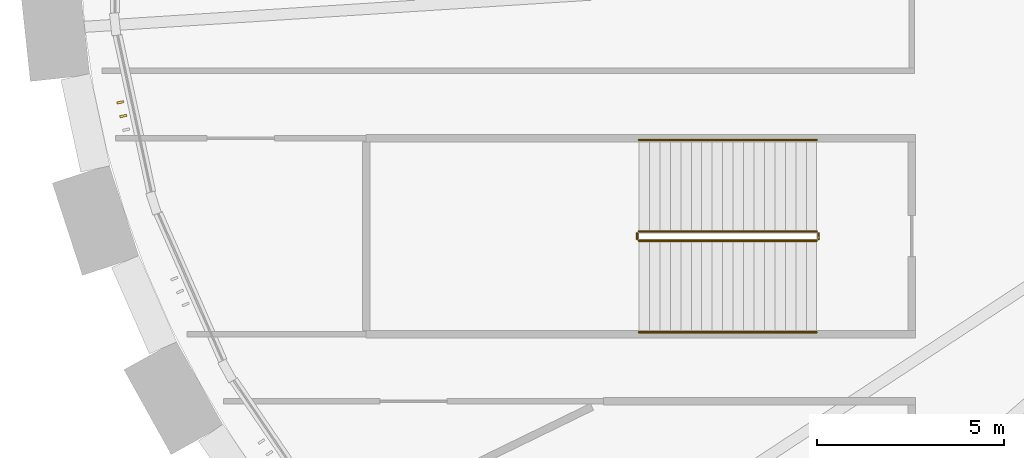
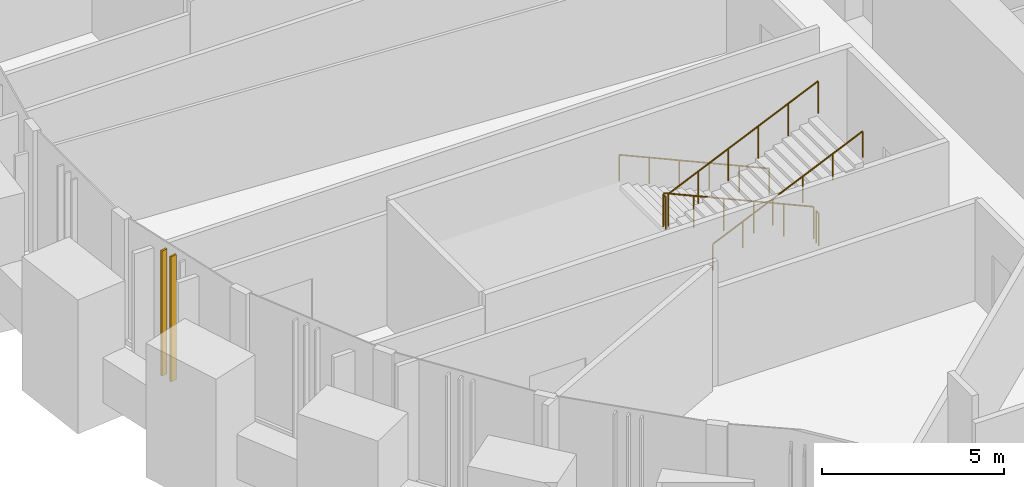
# One storey, part 14 of 23: 6 railings, 2 shading devices.
"""IFC4 building model written with IfcOpenShell, lengths in metres."""

from ifc_helpers import new_model, si_unit, direction, frame, origin, origin_2d, place, context, subcontext, project, spatial, rectangle, circle, extrude, source, transform, mapped, material, material_profile, profile_set, type_object, element, save


model = new_model("IFC4")

# Units and contexts
model_context = context("Model", 3, precision=1e-05, world=origin(), true_north=direction((0.0, 1.0)))
body_context = subcontext(model_context, "Body", "Model", "MODEL_VIEW")
ifc_project = project(units=[si_unit("LENGTHUNIT", "METRE"), si_unit("AREAUNIT", "SQUARE_METRE"), si_unit("VOLUMEUNIT", "CUBIC_METRE"), si_unit("PLANEANGLEUNIT", "RADIAN"), si_unit("MASSUNIT", "GRAM", prefix="KILO")], contexts=[model_context])

# Site, building, storey
site_placement = place(None, origin())
site = spatial("IfcSite", under=ifc_project, at=site_placement, CompositionType="ELEMENT")
building_placement = place(site_placement, origin())
building = spatial("IfcBuilding", under=site, at=building_placement, Name="Embergate Tower", CompositionType="ELEMENT")
storey_placement = place(building_placement, frame((0.0, 0.0, 29.0)))
storey = spatial("IfcBuildingStorey", under=building, at=storey_placement, Name="L03", CompositionType="ELEMENT", Elevation=29.0)

# Shading devices
ifc_material_1 = material(Name="Terracotta, extruded and glazed", Category="masonry")
ifc_material_profile = material_profile(ifc_material_1, rectangle(XDim=0.18994140625, YDim=0.06005859375, at=origin_2d()), Name="TC 190x60")
ifc_profile_set = profile_set([ifc_material_profile], Name="Terracotta, extruded and glazed")
shading_device_type = type_object("IfcShadingDeviceType", Name="Terracotta fin", PredefinedType="USERDEFINED", material=ifc_profile_set)
shared_shape_1 = source(origin(), body_context, "Body", "SweptSolid", [
    extrude(rectangle(XDim=0.18994140625, YDim=0.06005859375, at=origin_2d()), origin(), (0.0, 0.0, 1.0), 4.199951171875),
])
for number, where, z_axis, x_axis, name in (
    (1, (-38.703369140625, -4.542236328125, 0.0), (0.0, 0.0, 1.0), (0.97761683237, 0.21039327239, 0.0), "Fin 23.1"),
    (2, (-38.624267578125, -4.9091796875, 0.0), (0.0, 0.0, 1.0), (0.97761683237, 0.21039327239, 0.0), "Fin 23.2"),
):
    element("IfcShadingDevice", number, at=place(storey_placement, frame(where, z_axis=z_axis, x_axis=x_axis)), inside=storey, type_object=shading_device_type, Name=name, ObjectType="FIN", PredefinedType="USERDEFINED", context=body_context, shape_type="MappedRepresentation", body=[
        mapped(shared_shape_1, transform((0.0, 0.0, 0.0))),
    ])

# Railings
ifc_material_2 = material(Name="Steel", Category="steel")
railing_type_1 = type_object("IfcRailingType", Name="Podium stair guard 1100", PredefinedType="GUARDRAIL", material=ifc_material_2)
shared_shape_2 = source(origin(), body_context, "Body", "SweptSolid", [
    extrude(circle(Radius=0.02392578125, at=origin_2d()), frame((0.0, 0.0, 1.076171875), z_axis=(0.913138193756, 0.0, 0.40765014302), x_axis=(0.0, 1.0, 0.0)), (0.0, 0.0, 1.0), 5.212890625),
    extrude(circle(Radius=0.02099609375, at=origin_2d()), origin(), (0.0, 0.0, 1.0), 1.052001953125),
    extrude(circle(Radius=0.02099609375, at=origin_2d()), frame((0.951904296875, 0.0, 0.425048828125)), (0.0, 0.0, 1.0), 1.052001953125),
    extrude(circle(Radius=0.02099609375, at=origin_2d()), frame((1.904052734375, 0.0, 0.85009765625)), (0.0, 0.0, 1.0), 1.052001953125),
    extrude(circle(Radius=0.02099609375, at=origin_2d()), frame((2.85595703125, 0.0, 1.27490234375)), (0.0, 0.0, 1.0), 1.052001953125),
    extrude(circle(Radius=0.02099609375, at=origin_2d()), frame((3.80810546875, 0.0, 1.699951171875)), (0.0, 0.0, 1.0), 1.052001953125),
    extrude(circle(Radius=0.02099609375, at=origin_2d()), frame((4.760009765625, 0.0, 2.125)), (0.0, 0.0, 1.0), 1.052001953125),
])
railing_1_placement = place(storey_placement, frame((-24.81005859375, -8.25, 2.375)))
element("IfcRailing", 3, at=railing_1_placement, inside=storey, type_object=railing_type_1, Name="L03 P4 stair guard 3", PredefinedType="GUARDRAIL", context=body_context, shape_type="MappedRepresentation", body=[
    mapped(shared_shape_2, transform((0.0, 0.0, 0.0))),
])
shared_shape_3 = source(origin(), body_context, "Body", "SweptSolid", [
    extrude(circle(Radius=0.02392578125, at=origin_2d()), frame((0.0, 0.0, 1.076171875), z_axis=(-0.913138193756, 0.0, 0.40765014302), x_axis=(0.0, -1.0, 0.0)), (0.0, 0.0, 1.0), 5.212890625),
    extrude(circle(Radius=0.02099609375, at=origin_2d()), origin(), (0.0, 0.0, 1.0), 1.052001953125),
    extrude(circle(Radius=0.02099609375, at=origin_2d()), frame((-0.951904296875, 0.0, 0.425048828125)), (0.0, 0.0, 1.0), 1.052001953125),
    extrude(circle(Radius=0.02099609375, at=origin_2d()), frame((-1.904052734375, 0.0, 0.85009765625)), (0.0, 0.0, 1.0), 1.052001953125),
    extrude(circle(Radius=0.02099609375, at=origin_2d()), frame((-2.85595703125, 0.0, 1.27490234375)), (0.0, 0.0, 1.0), 1.052001953125),
    extrude(circle(Radius=0.02099609375, at=origin_2d()), frame((-3.80810546875, 0.0, 1.699951171875)), (0.0, 0.0, 1.0), 1.052001953125),
    extrude(circle(Radius=0.02099609375, at=origin_2d()), frame((-4.760009765625, 0.0, 2.125)), (0.0, 0.0, 1.0), 1.052001953125),
])
railing_2_placement = place(storey_placement, frame((-20.050048828125, -8.0, 0.125)))
element("IfcRailing", 4, at=railing_2_placement, inside=storey, type_object=railing_type_1, Name="L03 P4 stair guard 1", PredefinedType="GUARDRAIL", context=body_context, shape_type="MappedRepresentation", body=[
    mapped(shared_shape_3, transform((0.0, 0.0, 0.0))),
])
railing_type_2 = type_object("IfcRailingType", Name="Podium stair handrail 900", PredefinedType="HANDRAIL", material=ifc_material_2)
shared_shape_4 = source(origin(), body_context, "Body", "SweptSolid", [
    extrude(circle(Radius=0.02392578125, at=origin_2d()), frame((0.0, 0.0, 0.8759765625), z_axis=(0.913138193756, 0.0, 0.40765014302), x_axis=(0.0, 1.0, 0.0)), (0.0, 0.0, 1.0), 5.212890625),
    extrude(circle(Radius=0.02099609375, at=origin_2d()), origin(), (0.0, 0.0, 1.0), 0.851806640625),
    extrude(circle(Radius=0.02099609375, at=origin_2d()), frame((0.951904296875, 0.0, 0.425048828125)), (0.0, 0.0, 1.0), 0.851806640625),
    extrude(circle(Radius=0.02099609375, at=origin_2d()), frame((1.904052734375, 0.0, 0.85009765625)), (0.0, 0.0, 1.0), 0.851806640625),
    extrude(circle(Radius=0.02099609375, at=origin_2d()), frame((2.85595703125, 0.0, 1.27490234375)), (0.0, 0.0, 1.0), 0.851806640625),
    extrude(circle(Radius=0.02099609375, at=origin_2d()), frame((3.80810546875, 0.0, 1.699951171875)), (0.0, 0.0, 1.0), 0.851806640625),
    extrude(circle(Radius=0.02099609375, at=origin_2d()), frame((4.760009765625, 0.0, 2.125)), (0.0, 0.0, 1.0), 0.851806640625),
])
railing_3_placement = place(storey_placement, frame((-24.81005859375, -10.699951171875, 2.375)))
element("IfcRailing", 5, at=railing_3_placement, inside=storey, type_object=railing_type_2, Name="L03 P4 stair handrail 2", PredefinedType="HANDRAIL", context=body_context, shape_type="MappedRepresentation", body=[
    mapped(shared_shape_4, transform((0.0, 0.0, 0.0))),
])
shared_shape_5 = source(origin(), body_context, "Body", "SweptSolid", [
    extrude(circle(Radius=0.02392578125, at=origin_2d()), frame((0.0, 0.0, 0.8759765625), z_axis=(-0.913138193756, 0.0, 0.40765014302), x_axis=(0.0, -1.0, 0.0)), (0.0, 0.0, 1.0), 5.212890625),
    extrude(circle(Radius=0.02099609375, at=origin_2d()), origin(), (0.0, 0.0, 1.0), 0.851806640625),
    extrude(circle(Radius=0.02099609375, at=origin_2d()), frame((-0.951904296875, 0.0, 0.425048828125)), (0.0, 0.0, 1.0), 0.851806640625),
    extrude(circle(Radius=0.02099609375, at=origin_2d()), frame((-1.904052734375, 0.0, 0.85009765625)), (0.0, 0.0, 1.0), 0.851806640625),
    extrude(circle(Radius=0.02099609375, at=origin_2d()), frame((-2.85595703125, 0.0, 1.27490234375)), (0.0, 0.0, 1.0), 0.851806640625),
    extrude(circle(Radius=0.02099609375, at=origin_2d()), frame((-3.80810546875, 0.0, 1.699951171875)), (0.0, 0.0, 1.0), 0.851806640625),
    extrude(circle(Radius=0.02099609375, at=origin_2d()), frame((-4.760009765625, 0.0, 2.125)), (0.0, 0.0, 1.0), 0.851806640625),
])
railing_4_placement = place(storey_placement, frame((-20.050048828125, -5.550048828125, 0.125)))
element("IfcRailing", 6, at=railing_4_placement, inside=storey, type_object=railing_type_2, Name="L03 P4 stair handrail 1", PredefinedType="HANDRAIL", context=body_context, shape_type="MappedRepresentation", body=[
    mapped(shared_shape_5, transform((0.0, 0.0, 0.0))),
])
shared_shape_6 = source(origin(), body_context, "Body", "SweptSolid", [
    extrude(circle(Radius=0.02392578125, at=origin_2d()), frame((0.0, 0.0, 1.076171875), z_axis=(0.0, -1.0, 0.0), x_axis=(1.0, 0.0, 0.0)), (0.0, 0.0, 1.0), 0.14990234375),
    extrude(circle(Radius=0.02099609375, at=origin_2d()), origin(), (0.0, 0.0, 1.0), 1.052001953125),
    extrude(circle(Radius=0.02099609375, at=origin_2d()), frame((0.0, -0.14990234375, 0.0)), (0.0, 0.0, 1.0), 1.052001953125),
])
for number, where, name in (
    (7, (-24.860107421875, -8.050048828125, 2.25), "L03 P4 stair guard 2"),
    (8, (-20.0, -8.050048828125, 0.0), "L03 P4 stair guard 4"),
):
    element("IfcRailing", number, at=place(storey_placement, frame(where)), inside=storey, type_object=railing_type_1, Name=name, PredefinedType="GUARDRAIL", context=body_context, shape_type="MappedRepresentation", body=[
        mapped(shared_shape_6, transform((0.0, 0.0, 0.0))),
    ])

save(model, "model.ifc")
